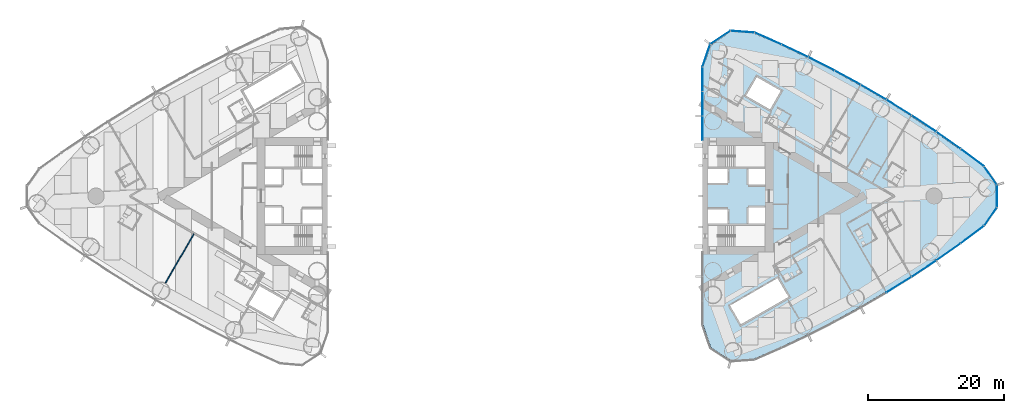
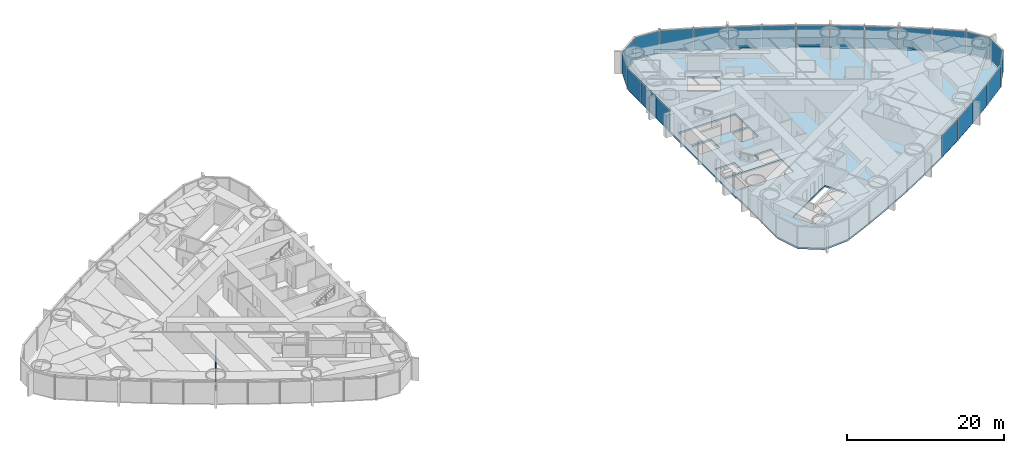
# One storey, part 10 of 18: 22 plates, 1 slab, 1 wall, 1 element without a shape of its own.
"""IFC4 building model written with IfcOpenShell, lengths in metres."""

import ifcopenshell
import ifcopenshell.guid

model = None  # the IFC model being written
_history = None  # IfcOwnerHistory: only IFC2X3 demands one
_inside = {}  # id of a spatial element -> (the spatial element, [elements in it])
_under = {}  # id of a project, library or spatial element -> (it, [spatial elements below it])
_declared = {}  # id of a project -> (the project, [libraries it declares])
_typed = {}  # id of a type object -> (the type object, [elements of that type])
_made_of = {}  # id of a material, layer set ... -> (it, [elements and type objects made of it])


def new_model(schema):
    """Start an empty IFC model of exactly this schema.

    Asked for "IFC4X3", IfcOpenShell would pick the latest addendum, in which some entities
    have other attributes; the version numbers below select the first issue.
    IFC2X3 requires an IfcOwnerHistory on every rooted entity: one is made here for all.
    """
    global model, _history
    if schema == "IFC4X3":
        model = ifcopenshell.file(schema_version=(4, 3, 0, 0))
    else:
        model = ifcopenshell.file(schema=schema)
    _inside.clear()
    _under.clear()
    _declared.clear()
    _typed.clear()
    _made_of.clear()
    _history = None
    if model.schema == "IFC2X3":
        org = make("IfcOrganization", Name="unknown")
        user = make(
            "IfcPersonAndOrganization",
            ThePerson=make("IfcPerson", FamilyName="unknown"),
            TheOrganization=org,
        )
        app = make(
            "IfcApplication",
            ApplicationDeveloper=org,
            Version="unknown",
            ApplicationFullName="unknown",
            ApplicationIdentifier="unknown",
        )
        _history = make(
            "IfcOwnerHistory",
            OwningUser=user,
            OwningApplication=app,
            ChangeAction="ADDED",
            CreationDate=0,
        )
    return model


def make(cls, **values):
    """One entity of the class cls with the attributes given. An attribute that is None is left unset."""
    return model.create_entity(
        cls, **{name: value for name, value in values.items() if value is not None}
    )


def rooted(cls, **values):
    """An entity with a GlobalId (a new one), such as an element, a storey or a relation."""
    return make(cls, GlobalId=ifcopenshell.guid.new(), OwnerHistory=_history, **values)


def si_unit(unit_type, name, prefix=None):
    """IfcSIUnit, for example si_unit("LENGTHUNIT", "METRE", prefix="MILLI")."""
    return make("IfcSIUnit", UnitType=unit_type, Prefix=prefix, Name=name)


def assignment(units):
    """IfcUnitAssignment: the units of a project."""
    return None if units is None else make("IfcUnitAssignment", Units=units)


def point(xyz):
    """IfcCartesianPoint."""
    return None if xyz is None else make("IfcCartesianPoint", Coordinates=xyz)


def direction(xyz):
    """IfcDirection."""
    return None if xyz is None else make("IfcDirection", DirectionRatios=xyz)


def frame(location, z_axis=None, x_axis=None):
    """IfcAxis2Placement3D, a coordinate frame: its origin and axes. An axis left out is left unset."""
    return make(
        "IfcAxis2Placement3D",
        Location=point(location),
        Axis=direction(z_axis),
        RefDirection=direction(x_axis),
    )


def frame_2d(location, x_axis=None):
    """IfcAxis2Placement2D, a coordinate frame in the plane: its origin and x axis."""
    return make(
        "IfcAxis2Placement2D", Location=point(location), RefDirection=direction(x_axis)
    )


def origin():
    """The frame at (0, 0, 0) with its axes left unset."""
    return frame((0.0, 0.0, 0.0))


def origin_2d():
    """The frame at (0, 0) in the plane with its x axis left unset."""
    return frame_2d((0.0, 0.0))


def place(relative_to, where):
    """IfcLocalPlacement: puts the frame where relative to a parent placement (None: the world)."""
    return make(
        "IfcLocalPlacement", PlacementRelTo=relative_to, RelativePlacement=where
    )


def context(
    kind, dimensions, precision=None, world=None, true_north=None, identifier=None
):
    """IfcGeometricRepresentationContext, for example the 3D "Model" context."""
    return make(
        "IfcGeometricRepresentationContext",
        ContextIdentifier=identifier,
        ContextType=kind,
        CoordinateSpaceDimension=dimensions,
        Precision=precision,
        WorldCoordinateSystem=world,
        TrueNorth=true_north,
    )


def subcontext(parent, identifier, kind, view, scale=None):
    """IfcGeometricRepresentationSubContext, for example "Body" below "Model"."""
    return make(
        "IfcGeometricRepresentationSubContext",
        ContextIdentifier=identifier,
        ContextType=kind,
        ParentContext=parent,
        TargetScale=scale,
        TargetView=view,
    )


def project(units=None, contexts=None):
    """IfcProject with its units and contexts."""
    return rooted(
        "IfcProject",
        Name="project",
        RepresentationContexts=contexts,
        UnitsInContext=assignment(units),
    )


def spatial(cls, under=None, at=None, **own):
    """A site, building, storey or space (cls), placed at a placement, below another one or the project."""
    s = rooted(cls, ObjectPlacement=at, **own)
    if under is not None:
        _under.setdefault(under.id(), (under, []))[1].append(s)
    return s


def polyline(points):
    """IfcPolyline through the points."""
    return make("IfcPolyline", Points=[point(p) for p in points])


def profile(cls, at=None, kind="AREA", **sizes):
    """A parametric profile (cls). Its sizes go by their IFC names, for example OverallWidth=200.0."""
    return make(cls, ProfileType=kind, Position=at, **sizes)


def rectangle(**sizes):
    """IfcRectangleProfileDef."""
    return profile("IfcRectangleProfileDef", **sizes)


def outline(outer, holes=None, kind="AREA"):
    """IfcArbitraryClosedProfileDef: a profile drawn as a closed curve; with holes, ...WithVoids."""
    if holes is None:
        return make("IfcArbitraryClosedProfileDef", ProfileType=kind, OuterCurve=outer)
    return make(
        "IfcArbitraryProfileDefWithVoids",
        ProfileType=kind,
        OuterCurve=outer,
        InnerCurves=holes,
    )


def extrude(swept, where, along, depth):
    """IfcExtrudedAreaSolid: the profile swept, set in the frame where, extruded along a direction by depth."""
    return make(
        "IfcExtrudedAreaSolid",
        SweptArea=swept,
        Position=where,
        ExtrudedDirection=direction(along),
        Depth=depth,
    )


def shape(context_of_items, identifier, shape_type, items):
    """IfcShapeRepresentation: the items that make up one representation, for example the "Body"."""
    return make(
        "IfcShapeRepresentation",
        ContextOfItems=context_of_items,
        RepresentationIdentifier=identifier,
        RepresentationType=shape_type,
        Items=items,
    )


def material(Name=None, Category=None):
    """IfcMaterial."""
    return make("IfcMaterial", Name=Name, Category=Category)


def layer(
    of_material, thickness, ventilated=None, Name=None, Category=None, Priority=None
):
    """IfcMaterialLayer: one layer of a wall or slab, of a material (None: an air gap)."""
    return make(
        "IfcMaterialLayer",
        Material=of_material,
        LayerThickness=thickness,
        IsVentilated=ventilated,
        Name=Name,
        Category=Category,
        Priority=Priority,
    )


def layer_set(layers, Name=None):
    """IfcMaterialLayerSet."""
    return make("IfcMaterialLayerSet", MaterialLayers=layers, LayerSetName=Name)


def made_of(thing, what):
    """Note that an element or type object is made of a material, layer set ...; save() writes the relation."""
    if what is not None:
        _made_of.setdefault(what.id(), (what, []))[1].append(thing)
    return thing


def type_object(cls, material=None, **own):
    """A type object (cls), such as IfcWallType, which elements share."""
    return made_of(rooted(cls, **own), material)


def element(
    cls,
    number,
    at=None,
    inside=None,
    cuts=None,
    type_object=None,
    material=None,
    context=None,
    identifier="Body",
    shape_type=None,
    held_by="IfcProductDefinitionShape",
    body=None,
    shapes=None,
    **own,
):
    """One element of the class cls, such as IfcWall. Its Tag is "e" and its number.

    at: its placement. inside: the storey or other place that contains it. cuts: it is an
    opening in that element (IfcRelVoidsElement). A single representation is given by context,
    identifier, shape_type and body (its items); several are given by shapes. held_by: the class
    of the entity that holds the representations. save() writes the other relations.
    """
    e = rooted(cls, Tag="e%d" % number, ObjectPlacement=at, **own)
    if body is not None:
        shapes = [shape(context, identifier, shape_type, body)]
    if shapes is not None:
        e.Representation = make(held_by, Representations=shapes)
    if inside is not None:
        _inside.setdefault(inside.id(), (inside, []))[1].append(e)
    if cuts is not None:
        rooted(
            "IfcRelVoidsElement", RelatingBuildingElement=cuts, RelatedOpeningElement=e
        )
    if type_object is not None:
        _typed.setdefault(type_object.id(), (type_object, []))[1].append(e)
    return made_of(e, material)


def aggregate(whole, parts):
    """IfcRelAggregates: a whole, such as a stair, and the parts it consists of."""
    return rooted("IfcRelAggregates", RelatingObject=whole, RelatedObjects=parts)


def save(model, path):
    """Write the relations noted so far, then the file.

    IfcRelAggregates (storeys below a building ...), IfcRelContainedInSpatialStructure (elements
    in a storey), IfcRelDefinesByType, IfcRelAssociatesMaterial and IfcRelDeclares: one each for
    every whole, place, type object, material and project.
    """
    for whole, parts in _under.values():
        aggregate(whole, parts)
    for where, things in _inside.values():
        rooted(
            "IfcRelContainedInSpatialStructure",
            RelatedElements=things,
            RelatingStructure=where,
        )
    for kind, things in _typed.values():
        rooted("IfcRelDefinesByType", RelatedObjects=things, RelatingType=kind)
    for what, things in _made_of.values():
        rooted("IfcRelAssociatesMaterial", RelatedObjects=things, RelatingMaterial=what)
    for by, libraries in _declared.values():
        rooted("IfcRelDeclares", RelatingContext=by, RelatedDefinitions=libraries)
    model.write(path)


model = new_model("IFC4")

# Units and contexts
model_context = context("Model", 3, precision=1e-05, world=origin(), true_north=direction((0.0, 1.0)))
body_context = subcontext(model_context, "Body", "Model", "MODEL_VIEW")
ifc_project = project(units=[si_unit("LENGTHUNIT", "METRE"), si_unit("AREAUNIT", "SQUARE_METRE"), si_unit("VOLUMEUNIT", "CUBIC_METRE"), si_unit("PLANEANGLEUNIT", "RADIAN"), si_unit("MASSUNIT", "GRAM", prefix="KILO")], contexts=[model_context])

# Site, building, storey
site_placement = place(None, origin())
site = spatial("IfcSite", under=ifc_project, at=site_placement, CompositionType="ELEMENT")
building_placement = place(site_placement, origin())
building = spatial("IfcBuilding", under=site, at=building_placement, Name="Lancet Gate Hotel", CompositionType="ELEMENT")
storey_placement = place(building_placement, frame((0.0, 0.0, 104.60009765625)))
storey = spatial("IfcBuildingStorey", under=building, at=storey_placement, Name="L27", CompositionType="ELEMENT", Elevation=104.60009765625)

# Slab
ifc_material_1 = material(Name="Concrete C50/60", Category="concrete")
ifc_layer_1 = layer(ifc_material_1, 0.25)
ifc_layer_set_1 = layer_set([ifc_layer_1], Name="Floor slab 250")
slab_type = type_object("IfcSlabType", Name="Floor slab 250", PredefinedType="FLOOR", material=ifc_layer_set_1)
slab_placement = place(storey_placement, frame((0.0, 0.0, -0.25)))
element("IfcSlab", 1, at=slab_placement, inside=storey, type_object=slab_type, Name="T2 L27 floor slab", PredefinedType="FLOOR", context=body_context, shape_type="SweptSolid", body=[
    extrude(outline(polyline([(27.5, -8.60009765625), (27.6201171875, -8.60009765625), (27.6201171875, -18.923095703125), (28.7451171875, -22.22412109375), (31.63427734375, -24.1396484375), (35.112060546875, -23.890869140625), (39.0712890625, -22.150634765625), (42.996826171875, -20.29052734375), (46.867919921875, -18.31982421875), (50.681640625, -16.23974609375), (54.4345703125, -14.052490234375), (58.123779296875, -11.75927734375), (61.74658203125, -9.362548828125), (65.2998046875, -6.863525390625), (68.7666015625, -4.275390625), (70.627197265625, -1.6142578125), (70.627197265625, 1.6142578125), (68.7666015625, 4.275390625), (65.2998046875, 6.863525390625), (61.74658203125, 9.362548828125), (58.123779296875, 11.75927734375), (54.4345703125, 14.052490234375), (50.681640625, 16.23974609375), (46.867919921875, 18.31982421875), (42.996826171875, 20.29052734375), (39.0712890625, 22.150634765625), (35.112060546875, 23.890869140625), (31.63427734375, 24.1396484375), (28.7451171875, 22.22412109375), (27.6201171875, 18.923095703125), (27.6201171875, 8.60009765625), (27.5, 8.60009765625), (27.5, 8.199951171875), (27.5, -8.199951171875), (27.5, -8.60009765625)]), holes=[polyline([(36.699951171875, -7.39990234375), (36.699951171875, -4.300048828125), (28.300048828125, -4.300048828125), (28.300048828125, -7.39990234375), (36.699951171875, -7.39990234375)]), polyline([(28.300048828125, -4.0), (31.199951171875, -4.0), (31.199951171875, -1.89990234375), (28.300048828125, -1.89990234375), (28.300048828125, -4.0)]), polyline([(34.25, -4.0), (36.699951171875, -4.0), (36.699951171875, -1.64990234375), (34.25, -1.64990234375), (34.25, -4.0)]), polyline([(36.699951171875, 1.64990234375), (36.699951171875, 4.0), (34.25, 4.0), (34.25, 1.64990234375), (36.699951171875, 1.64990234375)]), polyline([(28.300048828125, 1.89990234375), (31.199951171875, 1.89990234375), (31.199951171875, 4.0), (28.300048828125, 4.0), (28.300048828125, 1.89990234375)]), polyline([(28.300048828125, 4.300048828125), (36.699951171875, 4.300048828125), (36.699951171875, 7.39990234375), (28.300048828125, 7.39990234375), (28.300048828125, 4.300048828125)]), polyline([(31.549072265625, -16.0810546875), (33.14892578125, -18.85205078125), (40.1640625, -14.802001953125), (38.56396484375, -12.031005859375), (31.549072265625, -16.0810546875)]), polyline([(33.887939453125, 14.73095703125), (37.43798828125, 12.680908203125), (39.0380859375, 15.451904296875), (35.488037109375, 17.501953125), (33.887939453125, 14.73095703125)])]), origin(), (0.0, 0.0, 1.0), 0.25),
])

# Curtain wall, plates
ifc_material_2 = material(Name="Aluminium curtain wall", Category="aluminium")
curtain_wall_type = type_object("IfcCurtainWallType", Name="Tower unitised curtain wall", PredefinedType="USERDEFINED", material=ifc_material_2)
curtain_wall_placement = place(storey_placement, origin())
curtain_wall = element("IfcCurtainWall", 2, at=curtain_wall_placement, inside=storey, type_object=curtain_wall_type, Name="T2 L27 curtain wall 1", ObjectType="UNITISED CURTAIN WALL", PredefinedType="USERDEFINED")
ifc_material_3 = material(Name="Glass double glazed unit 8-16-6", Category="glass")
ifc_layer_2 = layer(ifc_material_3, 0.030029296875)
ifc_layer_set_2 = layer_set([ifc_layer_2], Name="Vision panel double glazed")
plate_type = type_object("IfcPlateType", Name="Vision panel double glazed", PredefinedType="CURTAIN_PANEL", material=ifc_layer_set_2)
plate_1_placement = place(storey_placement, frame((56.342529296875, -13.0078125, -0.000244140625), z_axis=(0.0, 0.0, 1.0), x_axis=(0.849317759497, 0.527881940781, 0.0)))
plate_1 = element("IfcPlate", 3, at=plate_1_placement, type_object=plate_type, Name="T2 L27 curtain wall 1 panel 12", PredefinedType="CURTAIN_PANEL", context=body_context, shape_type="SweptSolid", body=[
    extrude(rectangle(XDim=4.2822265625, YDim=0.030029296875, at=origin_2d()), origin(), (0.0, 0.0, 1.0), 3.35009765625),
])
plate_2_placement = place(storey_placement, frame((60.00146484375, -10.660888671875, -0.000244140625), z_axis=(0.0, 0.0, 1.0), x_axis=(0.83398495346, 0.551787184885, 0.0)))
plate_2 = element("IfcPlate", 4, at=plate_2_placement, type_object=plate_type, Name="T2 L27 curtain wall 1 panel 13", PredefinedType="CURTAIN_PANEL", context=body_context, shape_type="SweptSolid", body=[
    extrude(rectangle(XDim=4.2822265625, YDim=0.030029296875, at=origin_2d()), origin(), (0.0, 0.0, 1.0), 3.35009765625),
])
plate_3_placement = place(storey_placement, frame((63.59228515625, -8.211181640625, -0.000244140625), z_axis=(0.0, 0.0, 1.0), x_axis=(0.817979492167, 0.57524738191, 0.0)))
plate_3 = element("IfcPlate", 5, at=plate_3_placement, type_object=plate_type, Name="T2 L27 curtain wall 1 panel 14", PredefinedType="CURTAIN_PANEL", context=body_context, shape_type="SweptSolid", body=[
    extrude(rectangle(XDim=4.2822265625, YDim=0.030029296875, at=origin_2d()), origin(), (0.0, 0.0, 1.0), 3.35009765625),
])
plate_4_placement = place(storey_placement, frame((67.112060546875, -5.660400390625, -0.000244140625), z_axis=(0.0, 0.0, 1.0), x_axis=(0.801314284905, 0.598243609917, 0.0)))
plate_4 = element("IfcPlate", 6, at=plate_4_placement, type_object=plate_type, Name="T2 L27 curtain wall 1 panel 15", PredefinedType="CURTAIN_PANEL", context=body_context, shape_type="SweptSolid", body=[
    extrude(rectangle(XDim=4.2822265625, YDim=0.030029296875, at=origin_2d()), origin(), (0.0, 0.0, 1.0), 3.35009765625),
])
plate_5_placement = place(storey_placement, frame((69.800537109375, -3.006103515625, -0.000244140625), z_axis=(0.0, 0.0, 1.0), x_axis=(0.573025075425, 0.819537834962, 0.0)))
plate_5 = element("IfcPlate", 7, at=plate_5_placement, type_object=plate_type, Name="T2 L27 curtain wall 1 panel 16", PredefinedType="CURTAIN_PANEL", context=body_context, shape_type="SweptSolid", body=[
    extrude(rectangle(XDim=3.2392578125, YDim=0.030029296875, at=origin_2d()), origin(), (0.0, 0.0, 1.0), 3.35009765625),
])
plate_6_placement = place(storey_placement, frame((70.747314453125, 0.0, -0.000244140625), z_axis=(0.0, 0.0, 1.0), x_axis=(0.0, 1.0, 0.0)))
plate_6 = element("IfcPlate", 8, at=plate_6_placement, type_object=plate_type, Name="T2 L27 curtain wall 1 panel 17", PredefinedType="CURTAIN_PANEL", context=body_context, shape_type="SweptSolid", body=[
    extrude(rectangle(XDim=3.2392578125, YDim=0.030029296875, at=origin_2d()), origin(), (0.0, 0.0, 1.0), 3.35009765625),
])
plate_7_placement = place(storey_placement, frame((69.800537109375, 3.006103515625, -0.000244140625), z_axis=(0.0, 0.0, 1.0), x_axis=(-0.573025075425, 0.819537834962, 0.0)))
plate_7 = element("IfcPlate", 9, at=plate_7_placement, type_object=plate_type, Name="T2 L27 curtain wall 1 panel 18", PredefinedType="CURTAIN_PANEL", context=body_context, shape_type="SweptSolid", body=[
    extrude(rectangle(XDim=3.2392578125, YDim=0.030029296875, at=origin_2d()), origin(), (0.0, 0.0, 1.0), 3.35009765625),
])
plate_8_placement = place(storey_placement, frame((67.112060546875, 5.660400390625, -0.000244140625), z_axis=(0.0, 0.0, 1.0), x_axis=(-0.801314284905, 0.598243609917, 0.0)))
plate_8 = element("IfcPlate", 10, at=plate_8_placement, type_object=plate_type, Name="T2 L27 curtain wall 1 panel 19", PredefinedType="CURTAIN_PANEL", context=body_context, shape_type="SweptSolid", body=[
    extrude(rectangle(XDim=4.2822265625, YDim=0.030029296875, at=origin_2d()), origin(), (0.0, 0.0, 1.0), 3.35009765625),
])
plate_9_placement = place(storey_placement, frame((63.59228515625, 8.211181640625, -0.000244140625), z_axis=(0.0, 0.0, 1.0), x_axis=(-0.817979492167, 0.57524738191, 0.0)))
plate_9 = element("IfcPlate", 11, at=plate_9_placement, type_object=plate_type, Name="T2 L27 curtain wall 1 panel 20", PredefinedType="CURTAIN_PANEL", context=body_context, shape_type="SweptSolid", body=[
    extrude(rectangle(XDim=4.2822265625, YDim=0.030029296875, at=origin_2d()), origin(), (0.0, 0.0, 1.0), 3.35009765625),
])
plate_10_placement = place(storey_placement, frame((60.00146484375, 10.660888671875, -0.000244140625), z_axis=(0.0, 0.0, 1.0), x_axis=(-0.83398495346, 0.551787184885, 0.0)))
plate_10 = element("IfcPlate", 12, at=plate_10_placement, type_object=plate_type, Name="T2 L27 curtain wall 1 panel 21", PredefinedType="CURTAIN_PANEL", context=body_context, shape_type="SweptSolid", body=[
    extrude(rectangle(XDim=4.2822265625, YDim=0.030029296875, at=origin_2d()), origin(), (0.0, 0.0, 1.0), 3.35009765625),
])
plate_11_placement = place(storey_placement, frame((56.342529296875, 13.0078125, -0.000244140625), z_axis=(0.0, 0.0, 1.0), x_axis=(-0.849317759497, 0.527881940781, 0.0)))
plate_11 = element("IfcPlate", 13, at=plate_11_placement, type_object=plate_type, Name="T2 L27 curtain wall 1 panel 22", PredefinedType="CURTAIN_PANEL", context=body_context, shape_type="SweptSolid", body=[
    extrude(rectangle(XDim=4.2822265625, YDim=0.030029296875, at=origin_2d()), origin(), (0.0, 0.0, 1.0), 3.35009765625),
])
plate_12_placement = place(storey_placement, frame((52.618408203125, 15.249755859375, -0.000244140625), z_axis=(0.0, 0.0, 1.0), x_axis=(-0.863965543499, 0.503550930538, 0.0)))
plate_12 = element("IfcPlate", 14, at=plate_12_placement, type_object=plate_type, Name="T2 L27 curtain wall 1 panel 23", PredefinedType="CURTAIN_PANEL", context=body_context, shape_type="SweptSolid", body=[
    extrude(rectangle(XDim=4.2822265625, YDim=0.030029296875, at=origin_2d()), origin(), (0.0, 0.0, 1.0), 3.35009765625),
])
plate_13_placement = place(storey_placement, frame((48.832275390625, 17.38525390625, -0.000244140625), z_axis=(0.0, 0.0, 1.0), x_axis=(-0.877916491224, 0.478813778454, 0.0)))
plate_13 = element("IfcPlate", 15, at=plate_13_placement, type_object=plate_type, Name="T2 L27 curtain wall 1 panel 24", PredefinedType="CURTAIN_PANEL", context=body_context, shape_type="SweptSolid", body=[
    extrude(rectangle(XDim=4.2822265625, YDim=0.030029296875, at=origin_2d()), origin(), (0.0, 0.0, 1.0), 3.35009765625),
])
plate_14_placement = place(storey_placement, frame((44.98681640625, 19.412109375, -0.000244140625), z_axis=(0.0, 0.0, 1.0), x_axis=(-0.891159350462, 0.453690436403, 0.0)))
plate_14 = element("IfcPlate", 16, at=plate_14_placement, type_object=plate_type, Name="T2 L27 curtain wall 1 panel 25", PredefinedType="CURTAIN_PANEL", context=body_context, shape_type="SweptSolid", body=[
    extrude(rectangle(XDim=4.2822265625, YDim=0.030029296875, at=origin_2d()), origin(), (0.0, 0.0, 1.0), 3.35009765625),
])
plate_15_placement = place(storey_placement, frame((41.08544921875, 21.3291015625, -0.000244140625), z_axis=(0.0, 0.0, 1.0), x_axis=(-0.903683440096, 0.428201167789, 0.0)))
plate_15 = element("IfcPlate", 17, at=plate_15_placement, type_object=plate_type, Name="T2 L27 curtain wall 1 panel 26", PredefinedType="CURTAIN_PANEL", context=body_context, shape_type="SweptSolid", body=[
    extrude(rectangle(XDim=4.2822265625, YDim=0.030029296875, at=origin_2d()), origin(), (0.0, 0.0, 1.0), 3.35009765625),
])
plate_16_placement = place(storey_placement, frame((37.13134765625, 23.13427734375, -0.000244140625), z_axis=(0.0, 0.0, 1.0), x_axis=(-0.915478658759, 0.40236653111, 0.0)))
plate_16 = element("IfcPlate", 18, at=plate_16_placement, type_object=plate_type, Name="T2 L27 curtain wall 1 panel 27", PredefinedType="CURTAIN_PANEL", context=body_context, shape_type="SweptSolid", body=[
    extrude(rectangle(XDim=4.2822265625, YDim=0.030029296875, at=origin_2d()), origin(), (0.0, 0.0, 1.0), 3.35009765625),
])
plate_17_placement = place(storey_placement, frame((33.37158203125, 24.1357421875, -0.000244140625), z_axis=(0.0, 0.0, 1.0), x_axis=(-0.997448492935, 0.07138980278, 0.0)))
plate_17 = element("IfcPlate", 19, at=plate_17_placement, type_object=plate_type, Name="T2 L27 curtain wall 1 panel 28", PredefinedType="CURTAIN_PANEL", context=body_context, shape_type="SweptSolid", body=[
    extrude(rectangle(XDim=3.4833984375, YDim=0.030029296875, at=origin_2d()), origin(), (0.0, 0.0, 1.0), 3.35009765625),
])
plate_18_placement = place(storey_placement, frame((30.123291015625, 23.281982421875, -0.000244140625), z_axis=(0.0, 0.0, 1.0), x_axis=(-0.833464516611, -0.552572981198, 0.0)))
plate_18 = element("IfcPlate", 20, at=plate_18_placement, type_object=plate_type, Name="T2 L27 curtain wall 1 panel 29", PredefinedType="CURTAIN_PANEL", context=body_context, shape_type="SweptSolid", body=[
    extrude(rectangle(XDim=3.4833984375, YDim=0.030029296875, at=origin_2d()), origin(), (0.0, 0.0, 1.0), 3.35009765625),
])
plate_19_placement = place(storey_placement, frame((28.072265625, 20.622314453125, -0.000244140625), z_axis=(0.0, 0.0, 1.0), x_axis=(-0.32257568891, -0.946543673015, 0.0)))
plate_19 = element("IfcPlate", 21, at=plate_19_placement, type_object=plate_type, Name="T2 L27 curtain wall 1 panel 30", PredefinedType="CURTAIN_PANEL", context=body_context, shape_type="SweptSolid", body=[
    extrude(rectangle(XDim=3.4833984375, YDim=0.030029296875, at=origin_2d()), origin(), (0.0, 0.0, 1.0), 3.35009765625),
])
plate_20_placement = place(storey_placement, frame((27.5, 17.15234375, -0.000244140625), z_axis=(0.0, 0.0, 1.0), x_axis=(0.0, -1.0, 0.0)))
plate_20 = element("IfcPlate", 22, at=plate_20_placement, type_object=plate_type, Name="T2 L27 curtain wall 1 panel 31", PredefinedType="CURTAIN_PANEL", context=body_context, shape_type="SweptSolid", body=[
    extrude(rectangle(XDim=3.515869140625, YDim=0.030029296875, at=origin_2d()), origin(), (0.0, 0.0, 1.0), 3.35009765625),
])
plate_21_placement = place(storey_placement, frame((27.5, 13.571533203125, -0.000244140625), z_axis=(0.0, 0.0, 1.0), x_axis=(0.0, -1.0, 0.0)))
plate_21 = element("IfcPlate", 23, at=plate_21_placement, type_object=plate_type, Name="T2 L27 curtain wall 1 panel 32", PredefinedType="CURTAIN_PANEL", context=body_context, shape_type="SweptSolid", body=[
    extrude(rectangle(XDim=3.515869140625, YDim=0.030029296875, at=origin_2d()), origin(), (0.0, 0.0, 1.0), 3.35009765625),
])
plate_22_placement = place(storey_placement, frame((27.5, 9.990478515625, -0.000244140625), z_axis=(0.0, 0.0, 1.0), x_axis=(0.0, -1.0, 0.0)))
plate_22 = element("IfcPlate", 24, at=plate_22_placement, type_object=plate_type, Name="T2 L27 curtain wall 1 panel 33", PredefinedType="CURTAIN_PANEL", context=body_context, shape_type="SweptSolid", body=[
    extrude(rectangle(XDim=3.515869140625, YDim=0.030029296875, at=origin_2d()), origin(), (0.0, 0.0, 1.0), 3.35009765625),
])
aggregate(curtain_wall, [plate_1, plate_2, plate_3, plate_4, plate_5, plate_6, plate_7, plate_8, plate_9, plate_10, plate_11, plate_12, plate_13, plate_14, plate_15, plate_16, plate_17, plate_18, plate_19, plate_20, plate_21, plate_22])

# Wall
ifc_material_4 = material(Name="Gypsum board partition")
ifc_layer_3 = layer(ifc_material_4, 0.14990234375)
ifc_layer_set_3 = layer_set([ifc_layer_3], Name="Party wall 150")
wall_type = type_object("IfcWallType", Name="Party wall 150", PredefinedType="PARTITIONING", material=ifc_layer_set_3)
wall_placement = place(storey_placement, frame((-47.151123046875, -5.552490234375, 0.0), z_axis=(0.0, 0.0, 1.0), x_axis=(-0.500003012045, -0.866023664773, 0.0)))
element("IfcWall", 25, at=wall_placement, inside=storey, type_object=wall_type, Name="T1 party wall 150 L27", PredefinedType="PARTITIONING", context=body_context, shape_type="SweptSolid", body=[
    extrude(rectangle(XDim=8.31103515625, YDim=0.14990234375, at=frame_2d((4.155517578125, 0.0))), origin(), (0.0, 0.0, 1.0), 2.199951171875),
])

save(model, "model.ifc")
